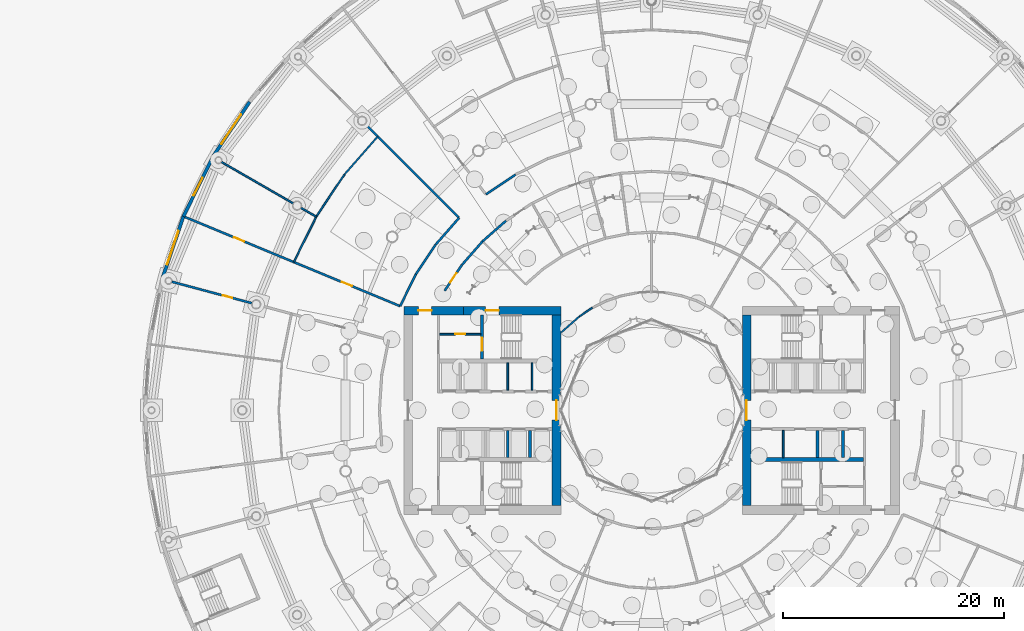
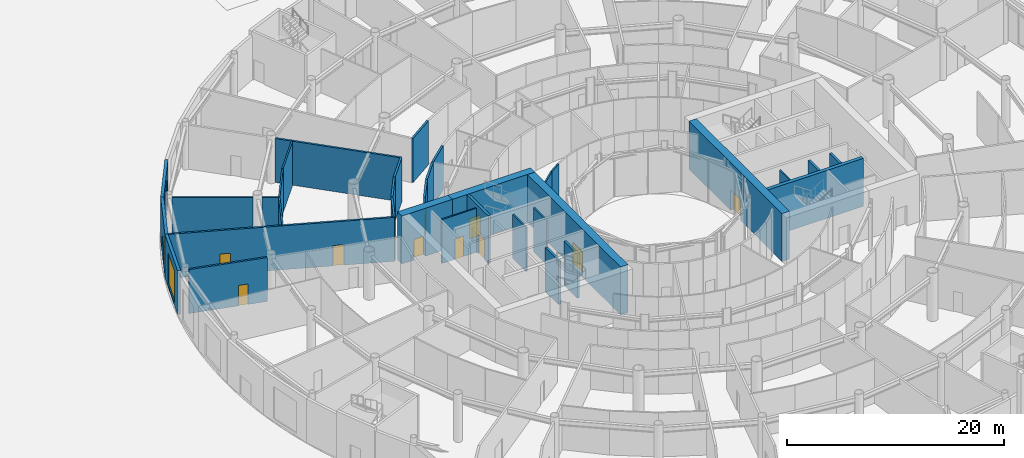
# One storey, part 23 of 41: 34 walls, 11 doors, 2 windows, 13 openings.
"""IFC4 building model written with IfcOpenShell, lengths in metres."""

from ifc_helpers import new_model, si_unit, direction, frame, frame_2d, origin, place, context, subcontext, project, spatial, rectangle, extrude, material, layer, layer_set, type_object, element, fill, save


model = new_model("IFC4")

# Units and contexts
model_context = context("Model", 3, precision=1e-05, world=origin(), true_north=direction((0.0, 1.0)))
body_context = subcontext(model_context, "Body", "Model", "MODEL_VIEW")
ifc_project = project(units=[si_unit("LENGTHUNIT", "METRE"), si_unit("AREAUNIT", "SQUARE_METRE"), si_unit("VOLUMEUNIT", "CUBIC_METRE"), si_unit("PLANEANGLEUNIT", "RADIAN"), si_unit("MASSUNIT", "GRAM", prefix="KILO")], contexts=[model_context])

# Site, building, storey
site_placement = place(None, origin())
site = spatial("IfcSite", under=ifc_project, at=site_placement, CompositionType="ELEMENT")
building_placement = place(site_placement, origin())
building = spatial("IfcBuilding", under=site, at=building_placement, Name="Maasbend Ring Residences", CompositionType="ELEMENT")
storey_placement = place(building_placement, origin())
storey = spatial("IfcBuildingStorey", under=building, at=storey_placement, Name="L00", CompositionType="ELEMENT", Elevation=0.0)

# Wall, opening, door
ifc_material_1 = material(Name="Concrete C70/85", Category="concrete")
ifc_layer_1 = layer(ifc_material_1, 0.25)
ifc_layer_set_1 = layer_set([ifc_layer_1], Name="Concrete C70/85")
wall_type_1 = type_object("IfcWallType", Name="CORE WALL 250 C70/85", PredefinedType="SHEAR", material=ifc_layer_set_1)
wall_1_placement = place(storey_placement, frame((-15.324951171875, 8.60009765625, 0.0), z_axis=(0.0, 0.0, 1.0), x_axis=(0.0, -1.0, 0.0)))
wall_1 = element("IfcWall", 1, at=wall_1_placement, inside=storey, type_object=wall_type_1, Name="L00 core W wall STES", PredefinedType="SHEAR", context=body_context, shape_type="SweptSolid", body=[
    extrude(rectangle(XDim=3.9501953125, YDim=0.25, at=frame_2d((1.97509765625, 0.0))), origin(), (0.0, 0.0, 1.0), 5.39990234375),
])
opening_1_placement = place(wall_1_placement, frame((2.02490234375, 0.0, 0.0)))
opening_1 = element("IfcOpeningElement", 2, at=opening_1_placement, cuts=wall_1, Name="Opening D-W0013", PredefinedType="OPENING", context=body_context, shape_type="SweptSolid", body=[
    extrude(rectangle(XDim=1.199951171875, YDim=2.300048828125, at=frame_2d((0.60009765625, 1.14990234375))), frame((0.0, 0.135009765625, 0.0), z_axis=(0.0, -1.0, 0.0), x_axis=(1.0, 0.0, 0.0)), (0.0, 0.0, 1.0), 0.27001953125),
])
ifc_material_2 = material(Name="Steel, powder coated", Category="steel")
door_type_1 = type_object("IfcDoorType", Name="STAIR DOOR 1200 X 2300 FD60", OperationType="NOTDEFINED", PredefinedType="DOOR", material=ifc_material_2)
door_1_placement = place(opening_1_placement, origin())
door_1 = element("IfcDoor", 3, at=door_1_placement, inside=storey, type_object=door_type_1, Name="Stair door ST-W L00", OperationType="SINGLE_SWING_LEFT", OverallHeight=2.300048828125, OverallWidth=1.199951171875, PredefinedType="DOOR", context=body_context, shape_type="SweptSolid", body=[
    extrude(rectangle(XDim=1.199951171875, YDim=2.300048828125, at=frame_2d((0.60009765625, 1.14990234375))), frame((0.0, 0.02490234375, 0.0), z_axis=(0.0, -1.0, 0.0), x_axis=(1.0, 0.0, 0.0)), (0.0, 0.0, 1.0), 0.050048828125),
])
fill(opening_1, door_1)

# Wall
ifc_material_3 = material(Name="Concrete C70/85", Category="concrete")
ifc_layer_2 = layer(ifc_material_3, 0.375)
ifc_layer_set_2 = layer_set([ifc_layer_2], Name="Concrete C70/85")
wall_type_2 = type_object("IfcWallType", Name="CORE WALL 375 C70/85", PredefinedType="SHEAR", material=ifc_layer_set_2)
wall_2_placement = place(storey_placement, frame((9.0, -4.46240234375, 0.0), z_axis=(0.0, 0.0, 1.0), x_axis=(1.0, 0.0, 0.0)))
element("IfcWall", 4, at=wall_2_placement, inside=storey, type_object=wall_type_2, Name="L00 core E wall BS", PredefinedType="SHEAR", context=body_context, shape_type="SweptSolid", body=[
    extrude(rectangle(XDim=10.14990234375, YDim=0.375, at=frame_2d((5.074951171875, 0.0))), origin(), (0.0, 0.0, 1.0), 5.39990234375),
])

# Wall, opening, door
ifc_material_4 = material(Name="Concrete C70/85", Category="concrete")
ifc_layer_3 = layer(ifc_material_4, 0.800048828125)
ifc_layer_set_3 = layer_set([ifc_layer_3], Name="Concrete C70/85")
wall_type_3 = type_object("IfcWallType", Name="CORE WALL 800 C70/85", PredefinedType="SHEAR", material=ifc_layer_set_3)
wall_3_placement = place(storey_placement, frame((8.60009765625, -8.60009765625, 0.0), z_axis=(0.0, 0.0, 1.0), x_axis=(0.0, 1.0, 0.0)))
wall_3 = element("IfcWall", 5, at=wall_3_placement, inside=storey, type_object=wall_type_3, Name="L00 core E wall PIN", PredefinedType="SHEAR", context=body_context, shape_type="SweptSolid", body=[
    extrude(rectangle(XDim=17.2001953125, YDim=0.800048828125, at=frame_2d((8.60009765625, 0.0))), origin(), (0.0, 0.0, 1.0), 5.39990234375),
])
opening_2_placement = place(wall_3_placement, frame((7.699951171875, 0.0, 0.0)))
opening_2 = element("IfcOpeningElement", 6, at=opening_2_placement, cuts=wall_3, Name="Opening D-E0017", PredefinedType="OPENING", context=body_context, shape_type="SweptSolid", body=[
    extrude(rectangle(XDim=1.800048828125, YDim=2.300048828125, at=frame_2d((0.89990234375, 1.14990234375))), frame((0.0, 0.41015625, 0.0), z_axis=(0.0, -1.0, 0.0), x_axis=(1.0, 0.0, 0.0)), (0.0, 0.0, 1.0), 0.820068359375),
])
ifc_material_5 = material(Name="Aluminium frame, clear glass", Category="aluminium")
door_type_2 = type_object("IfcDoorType", Name="ENTRANCE DOOR 1800 X 2300 FD60", OperationType="NOTDEFINED", PredefinedType="DOOR", material=ifc_material_5)
door_2_placement = place(opening_2_placement, origin())
door_2 = element("IfcDoor", 7, at=door_2_placement, inside=storey, type_object=door_type_2, Name="Lobby glazed door L00", OperationType="SINGLE_SWING_LEFT", OverallHeight=2.300048828125, OverallWidth=1.800048828125, PredefinedType="DOOR", context=body_context, shape_type="SweptSolid", body=[
    extrude(rectangle(XDim=1.800048828125, YDim=2.300048828125, at=frame_2d((0.89990234375, 1.14990234375))), frame((0.0, 0.02490234375, 0.0), z_axis=(0.0, -1.0, 0.0), x_axis=(1.0, 0.0, 0.0)), (0.0, 0.0, 1.0), 0.050048828125),
])
fill(opening_2, door_2)

wall_4_placement = place(storey_placement, frame((-8.60009765625, 8.60009765625, 0.0), z_axis=(0.0, 0.0, 1.0), x_axis=(0.0, -1.0, 0.0)))
wall_4 = element("IfcWall", 8, at=wall_4_placement, inside=storey, type_object=wall_type_3, Name="L00 core W wall PIN", PredefinedType="SHEAR", context=body_context, shape_type="SweptSolid", body=[
    extrude(rectangle(XDim=17.2001953125, YDim=0.800048828125, at=frame_2d((8.60009765625, 0.0))), origin(), (0.0, 0.0, 1.0), 5.39990234375),
])
opening_3_placement = place(wall_4_placement, frame((7.699951171875, 0.0, 0.0)))
opening_3 = element("IfcOpeningElement", 9, at=opening_3_placement, cuts=wall_4, Name="Opening D-W0018", PredefinedType="OPENING", context=body_context, shape_type="SweptSolid", body=[
    extrude(rectangle(XDim=1.800048828125, YDim=2.300048828125, at=frame_2d((0.89990234375, 1.14990234375))), frame((0.0, 0.41015625, 0.0), z_axis=(0.0, -1.0, 0.0), x_axis=(1.0, 0.0, 0.0)), (0.0, 0.0, 1.0), 0.820068359375),
])
door_3_placement = place(opening_3_placement, origin())
door_3 = element("IfcDoor", 10, at=door_3_placement, inside=storey, type_object=door_type_2, Name="Lobby glazed door L00", OperationType="SINGLE_SWING_LEFT", OverallHeight=2.300048828125, OverallWidth=1.800048828125, PredefinedType="DOOR", context=body_context, shape_type="SweptSolid", body=[
    extrude(rectangle(XDim=1.800048828125, YDim=2.300048828125, at=frame_2d((0.89990234375, 1.14990234375))), frame((0.0, 0.02490234375, 0.0), z_axis=(0.0, -1.0, 0.0), x_axis=(1.0, 0.0, 0.0)), (0.0, 0.0, 1.0), 0.050048828125),
])
fill(opening_3, door_3)

wall_5_placement = place(storey_placement, frame((-17.0, 9.0, 0.0), z_axis=(0.0, 0.0, 1.0), x_axis=(1.0, 0.0, 0.0)))
wall_5 = element("IfcWall", 11, at=wall_5_placement, inside=storey, type_object=wall_type_3, Name="L00 core W wall PSA", PredefinedType="SHEAR", context=body_context, shape_type="SweptSolid", body=[
    extrude(rectangle(XDim=8.800048828125, YDim=0.800048828125, at=frame_2d((4.39990234375, 0.0))), origin(), (0.0, 0.0, 1.0), 5.39990234375),
])
opening_4_placement = place(wall_5_placement, frame((2.0, 0.0, 0.0)))
opening_4 = element("IfcOpeningElement", 12, at=opening_4_placement, cuts=wall_5, Name="Opening D-W0021", PredefinedType="OPENING", context=body_context, shape_type="SweptSolid", body=[
    extrude(rectangle(XDim=1.199951171875, YDim=2.300048828125, at=frame_2d((0.60009765625, 1.14990234375))), frame((0.0, 0.41015625, 0.0), z_axis=(0.0, -1.0, 0.0), x_axis=(1.0, 0.0, 0.0)), (0.0, 0.0, 1.0), 0.820068359375),
])
door_4_placement = place(opening_4_placement, origin())
door_4 = element("IfcDoor", 13, at=door_4_placement, inside=storey, type_object=door_type_1, Name="Stair door ST-W L00", OperationType="SINGLE_SWING_RIGHT", OverallHeight=2.300048828125, OverallWidth=1.199951171875, PredefinedType="DOOR", context=body_context, shape_type="SweptSolid", body=[
    extrude(rectangle(XDim=1.199951171875, YDim=2.300048828125, at=frame_2d((0.60009765625, 1.14990234375))), frame((0.0, 0.02490234375, 0.0), z_axis=(0.0, -1.0, 0.0), x_axis=(1.0, 0.0, 0.0)), (0.0, 0.0, 1.0), 0.050048828125),
])
fill(opening_4, door_4)

wall_6_placement = place(storey_placement, frame((-17.0, 9.0, 0.0), z_axis=(0.0, 0.0, 1.0), x_axis=(-1.0, 0.0, 0.0)))
wall_6 = element("IfcWall", 14, at=wall_6_placement, inside=storey, type_object=wall_type_3, Name="L00 core W wall PSB", PredefinedType="SHEAR", context=body_context, shape_type="SweptSolid", body=[
    extrude(rectangle(XDim=5.39990234375, YDim=0.800048828125, at=frame_2d((2.699951171875, 0.0))), origin(), (0.0, 0.0, 1.0), 5.39990234375),
])
opening_5_placement = place(wall_6_placement, frame((2.875, 0.0, 0.0)))
opening_5 = element("IfcOpeningElement", 15, at=opening_5_placement, cuts=wall_6, Name="Opening D-W0017", PredefinedType="OPENING", context=body_context, shape_type="SweptSolid", body=[
    extrude(rectangle(XDim=1.199951171875, YDim=2.300048828125, at=frame_2d((0.60009765625, 1.14990234375))), frame((0.0, 0.41015625, 0.0), z_axis=(0.0, -1.0, 0.0), x_axis=(1.0, 0.0, 0.0)), (0.0, 0.0, 1.0), 0.820068359375),
])
ifc_material_6 = material(Name="Steel, powder coated", Category="steel")
door_type_3 = type_object("IfcDoorType", Name="CORRIDOR DOOR 1200 X 2300 FD30S", OperationType="NOTDEFINED", PredefinedType="DOOR", material=ifc_material_6)
door_5_placement = place(opening_5_placement, origin())
door_5 = element("IfcDoor", 16, at=door_5_placement, inside=storey, type_object=door_type_3, Name="Corridor door L00", OperationType="SINGLE_SWING_LEFT", OverallHeight=2.300048828125, OverallWidth=1.199951171875, PredefinedType="DOOR", context=body_context, shape_type="SweptSolid", body=[
    extrude(rectangle(XDim=1.199951171875, YDim=2.300048828125, at=frame_2d((0.60009765625, 1.14990234375))), frame((0.0, 0.02490234375, 0.0), z_axis=(0.0, -1.0, 0.0), x_axis=(1.0, 0.0, 0.0)), (0.0, 0.0, 1.0), 0.050048828125),
])
fill(opening_5, door_5)

ifc_material_7 = material(Name="Concrete C30/37", Category="concrete")
ifc_layer_4 = layer(ifc_material_7, 0.199951171875)
ifc_layer_set_4 = layer_set([ifc_layer_4], Name="Concrete C30/37")
wall_type_4 = type_object("IfcWallType", Name="CORRIDOR WALL 200 CONCRETE", PredefinedType="PARTITIONING", material=ifc_layer_set_4)
wall_7_placement = place(storey_placement, frame((-43.3701171875, 11.6201171875, 0.0), z_axis=(0.0, 0.0, 1.0), x_axis=(0.965931198614, -0.25879899448, 0.0)))
wall_7 = element("IfcWall", 17, at=wall_7_placement, inside=storey, type_object=wall_type_4, Name="U-L00-w083", PredefinedType="PARTITIONING", context=body_context, shape_type="SweptSolid", body=[
    extrude(rectangle(XDim=7.500732421875, YDim=0.199951171875, at=frame_2d((3.75048828125, 0.0))), origin(), (0.0, 0.0, 1.0), 4.949951171875),
])
opening_6_placement = place(wall_7_placement, frame((4.756103515625, 0.0, 0.0)))
opening_6 = element("IfcOpeningElement", 18, at=opening_6_placement, cuts=wall_7, Name="Opening D-0033", PredefinedType="OPENING", context=body_context, shape_type="SweptSolid", body=[
    extrude(rectangle(XDim=0.89990234375, YDim=2.300048828125, at=frame_2d((0.449951171875, 1.14990234375))), frame((0.0, 0.10986328125, 0.0), z_axis=(0.0, -1.0, 0.0), x_axis=(1.0, 0.0, 0.0)), (0.0, 0.0, 1.0), 0.219970703125),
])
ifc_material_8 = material(Name="Steel, fire-rated, painted", Category="steel")
door_type_4 = type_object("IfcDoorType", Name="SERVICE DOOR 900 X 2300 FIRE-RATED", OperationType="NOTDEFINED", PredefinedType="DOOR", material=ifc_material_8)
door_6_placement = place(opening_6_placement, origin())
door_6 = element("IfcDoor", 19, at=door_6_placement, inside=storey, type_object=door_type_4, Name="D-0033", OperationType="SINGLE_SWING_RIGHT", OverallHeight=2.300048828125, OverallWidth=0.89990234375, PredefinedType="DOOR", context=body_context, shape_type="SweptSolid", body=[
    extrude(rectangle(XDim=0.89990234375, YDim=2.300048828125, at=frame_2d((0.449951171875, 1.14990234375))), frame((0.0, 0.02490234375, 0.0), z_axis=(0.0, -1.0, 0.0), x_axis=(1.0, 0.0, 0.0)), (0.0, 0.0, 1.0), 0.050048828125),
])
fill(opening_6, door_6)

# Wall, openings, doors
wall_8_placement = place(storey_placement, frame((-42.220947265625, 17.489013671875, 0.0), z_axis=(0.0, 0.0, 1.0), x_axis=(0.923857892323, -0.382735672225, 0.0)))
wall_8 = element("IfcWall", 20, at=wall_8_placement, inside=storey, type_object=wall_type_4, Name="U-L00-w084", PredefinedType="PARTITIONING", context=body_context, shape_type="SweptSolid", body=[
    extrude(rectangle(XDim=21.1005859375, YDim=0.199951171875, at=frame_2d((10.55029296875, 0.0))), origin(), (0.0, 0.0, 1.0), 4.949951171875),
])
opening_7_placement = place(wall_8_placement, frame((15.39990234375, 0.0, 0.0)))
opening_7 = element("IfcOpeningElement", 21, at=opening_7_placement, cuts=wall_8, Name="Opening D-0029", PredefinedType="OPENING", context=body_context, shape_type="SweptSolid", body=[
    extrude(rectangle(XDim=1.0, YDim=2.300048828125, at=frame_2d((0.5, 1.14990234375))), frame((0.0, 0.10986328125, 0.0), z_axis=(0.0, -1.0, 0.0), x_axis=(1.0, 0.0, 0.0)), (0.0, 0.0, 1.0), 0.219970703125),
])
opening_8_placement = place(wall_8_placement, frame((4.85009765625, 0.0, 0.0)))
opening_8 = element("IfcOpeningElement", 22, at=opening_8_placement, cuts=wall_8, Name="Opening D-0031", PredefinedType="OPENING", context=body_context, shape_type="SweptSolid", body=[
    extrude(rectangle(XDim=1.0, YDim=2.300048828125, at=frame_2d((0.5, 1.14990234375))), frame((0.0, 0.10986328125, 0.0), z_axis=(0.0, -1.0, 0.0), x_axis=(1.0, 0.0, 0.0)), (0.0, 0.0, 1.0), 0.219970703125),
])
ifc_material_9 = material(Name="Timber, painted", Category="wood")
door_type_5 = type_object("IfcDoorType", Name="ROOM DOOR 1000 X 2300", OperationType="NOTDEFINED", PredefinedType="DOOR", material=ifc_material_9)
door_7_placement = place(opening_7_placement, origin())
door_7 = element("IfcDoor", 23, at=door_7_placement, inside=storey, type_object=door_type_5, Name="D-0029", OperationType="SINGLE_SWING_RIGHT", OverallHeight=2.300048828125, OverallWidth=1.0, PredefinedType="DOOR", context=body_context, shape_type="SweptSolid", body=[
    extrude(rectangle(XDim=1.0, YDim=2.300048828125, at=frame_2d((0.5, 1.14990234375))), frame((0.0, 0.02490234375, 0.0), z_axis=(0.0, -1.0, 0.0), x_axis=(1.0, 0.0, 0.0)), (0.0, 0.0, 1.0), 0.050048828125),
])
fill(opening_7, door_7)
door_8_placement = place(opening_8_placement, origin())
door_8 = element("IfcDoor", 24, at=door_8_placement, inside=storey, type_object=door_type_5, Name="D-0031", OperationType="SINGLE_SWING_LEFT", OverallHeight=2.300048828125, OverallWidth=1.0, PredefinedType="DOOR", context=body_context, shape_type="SweptSolid", body=[
    extrude(rectangle(XDim=1.0, YDim=2.300048828125, at=frame_2d((0.5, 1.14990234375))), frame((0.0, 0.02490234375, 0.0), z_axis=(0.0, -1.0, 0.0), x_axis=(1.0, 0.0, 0.0)), (0.0, 0.0, 1.0), 0.050048828125),
])
fill(opening_8, door_8)

# Wall
wall_9_placement = place(storey_placement, frame((-25.8759765625, 25.8759765625, 0.0), z_axis=(0.0, 0.0, 1.0), x_axis=(0.707106781187, -0.707106781187, 0.0)))
element("IfcWall", 25, at=wall_9_placement, inside=storey, type_object=wall_type_4, Name="U-L00-w094", PredefinedType="PARTITIONING", context=body_context, shape_type="SweptSolid", body=[
    extrude(rectangle(XDim=11.993896484375, YDim=0.199951171875, at=frame_2d((5.9970703125, 0.0))), origin(), (0.0, 0.0, 1.0), 4.949951171875),
])

# Wall, opening, door
wall_10_placement = place(storey_placement, frame((-18.7060546875, 10.800048828125, 0.0), z_axis=(0.0, 0.0, 1.0), x_axis=(0.55571678686, 0.831371669473, 0.0)))
wall_10 = element("IfcWall", 26, at=wall_10_placement, inside=storey, type_object=wall_type_4, Name="U-L00-w162", PredefinedType="PARTITIONING", context=body_context, shape_type="SweptSolid", body=[
    extrude(rectangle(XDim=2.8251953125, YDim=0.199951171875, at=frame_2d((1.41259765625, 0.0))), origin(), (0.0, 0.0, 1.0), 4.949951171875),
])
opening_9_placement = place(wall_10_placement, frame((0.9130859375, 0.0, 0.0)))
opening_9 = element("IfcOpeningElement", 27, at=opening_9_placement, cuts=wall_10, Name="Opening D-0014", PredefinedType="OPENING", context=body_context, shape_type="SweptSolid", body=[
    extrude(rectangle(XDim=1.0, YDim=2.300048828125, at=frame_2d((0.5, 1.14990234375))), frame((0.0, 0.10986328125, 0.0), z_axis=(0.0, -1.0, 0.0), x_axis=(1.0, 0.0, 0.0)), (0.0, 0.0, 1.0), 0.219970703125),
])
door_9_placement = place(opening_9_placement, origin())
door_9 = element("IfcDoor", 28, at=door_9_placement, inside=storey, type_object=door_type_5, Name="D-0014", OperationType="SINGLE_SWING_RIGHT", OverallHeight=2.300048828125, OverallWidth=1.0, PredefinedType="DOOR", context=body_context, shape_type="SweptSolid", body=[
    extrude(rectangle(XDim=1.0, YDim=2.300048828125, at=frame_2d((0.5, 1.14990234375))), frame((0.0, 0.02490234375, 0.0), z_axis=(0.0, -1.0, 0.0), x_axis=(1.0, 0.0, 0.0)), (0.0, 0.0, 1.0), 0.050048828125),
])
fill(opening_9, door_9)

# Walls
for number, where, z_axis, x_axis, name in (
    (29, (-17.135986328125, 13.14892578125, 0.0), (0.0, 0.0, 1.0), (0.659042776199, 0.752105457459, 0.0), "U-L00-w163"),
    (30, (-15.27392578125, 15.27392578125, 0.0), (0.0, 0.0, 1.0), (0.752105457459, 0.659042776199, 0.0), "U-L00-w164"),
):
    element("IfcWall", number, at=place(storey_placement, frame(where, z_axis=z_axis, x_axis=x_axis)), inside=storey, type_object=wall_type_4, Name=name, PredefinedType="PARTITIONING", context=body_context, shape_type="SweptSolid", body=[
        extrude(rectangle(XDim=2.825439453125, YDim=0.199951171875, at=frame_2d((1.41259765625, 0.0))), origin(), (0.0, 0.0, 1.0), 4.949951171875),
    ])
wall_11_placement = place(storey_placement, frame((-22.72705078125, 9.4140625, 0.0), z_axis=(0.0, 0.0, 1.0), x_axis=(0.442259878763, 0.896886949195, 0.0)))
element("IfcWall", 31, at=wall_11_placement, inside=storey, type_object=wall_type_4, Name="U-L00-w180", PredefinedType="PARTITIONING", context=body_context, shape_type="SweptSolid", body=[
    extrude(rectangle(XDim=3.2177734375, YDim=0.199951171875, at=frame_2d((1.60888671875, 0.0))), origin(), (0.0, 0.0, 1.0), 4.949951171875),
])
wall_12_placement = place(storey_placement, frame((-21.303955078125, 12.300048828125, 0.0), z_axis=(0.0, 0.0, 1.0), x_axis=(0.555522714148, 0.831501361433, 0.0)))
element("IfcWall", 32, at=wall_12_placement, inside=storey, type_object=wall_type_4, Name="U-L00-w181", PredefinedType="PARTITIONING", context=body_context, shape_type="SweptSolid", body=[
    extrude(rectangle(XDim=3.21826171875, YDim=0.199951171875, at=frame_2d((1.609130859375, 0.0))), origin(), (0.0, 0.0, 1.0), 4.949951171875),
])
wall_13_placement = place(storey_placement, frame((-19.51611328125, 14.97607421875, 0.0), z_axis=(0.0, 0.0, 1.0), x_axis=(0.659299366608, 0.751880539175, 0.0)))
element("IfcWall", 33, at=wall_13_placement, inside=storey, type_object=wall_type_4, Name="U-L00-w182", PredefinedType="PARTITIONING", context=body_context, shape_type="SweptSolid", body=[
    extrude(rectangle(XDim=3.21728515625, YDim=0.199951171875, at=frame_2d((1.608642578125, 0.0))), origin(), (0.0, 0.0, 1.0), 4.949951171875),
])
wall_14_placement = place(storey_placement, frame((-14.97607421875, 19.51611328125, 0.0), z_axis=(0.0, 0.0, 1.0), x_axis=(0.831501361433, 0.555522714148, 0.0)))
element("IfcWall", 34, at=wall_14_placement, inside=storey, type_object=wall_type_4, Name="U-L00-w183", PredefinedType="PARTITIONING", context=body_context, shape_type="SweptSolid", body=[
    extrude(rectangle(XDim=3.21826171875, YDim=0.199951171875, at=frame_2d((1.609130859375, 0.0))), origin(), (0.0, 0.0, 1.0), 4.949951171875),
])

# Wall, opening, window
ifc_material_10 = material(Name="Pale anodised aluminium panel", Category="aluminium")
ifc_layer_5 = layer(ifc_material_10, 0.300048828125)
ifc_layer_set_5 = layer_set([ifc_layer_5], Name="EW-BASE")
wall_type_5 = type_object("IfcWallType", Name="EW-BASE", PredefinedType="SOLIDWALL", material=ifc_layer_set_5)
wall_15_placement = place(storey_placement, frame((-36.3359375, 27.881103515625, 0.0), z_axis=(0.0, 0.0, 1.0), x_axis=(-0.55554631985, -0.831485590074, 0.0)))
wall_15 = element("IfcWall", 35, at=wall_15_placement, inside=storey, type_object=wall_type_5, Name="Base block wall 20", PredefinedType="SOLIDWALL", context=body_context, shape_type="SweptSolid", body=[
    extrude(rectangle(XDim=5.99072265625, YDim=0.300048828125, at=frame_2d((2.995361328125, 0.0))), origin(), (0.0, 0.0, 1.0), 4.949951171875),
])
opening_10_placement = place(wall_15_placement, frame((1.3955078125, 0.0, 0.300048828125)))
opening_10 = element("IfcOpeningElement", 36, at=opening_10_placement, cuts=wall_15, Name="Opening W-SF", PredefinedType="OPENING", context=body_context, shape_type="SweptSolid", body=[
    extrude(rectangle(XDim=3.199951171875, YDim=3.60009765625, at=frame_2d((1.60009765625, 1.800048828125))), frame((0.0, 0.16015625, 0.0), z_axis=(0.0, -1.0, 0.0), x_axis=(1.0, 0.0, 0.0)), (0.0, 0.0, 1.0), 0.320068359375),
])
ifc_material_11 = material(Name="Aluminium and clear glass", Category="aluminium")
window_type = type_object("IfcWindowType", Name="W-SF", PartitioningType="SINGLE_PANEL", PredefinedType="WINDOW", material=ifc_material_11)
window_1_placement = place(opening_10_placement, origin())
window_1 = element("IfcWindow", 37, at=window_1_placement, inside=storey, type_object=window_type, Name="Shopfront 20", OverallHeight=3.60009765625, OverallWidth=3.199951171875, PartitioningType="SINGLE_PANEL", PredefinedType="WINDOW", context=body_context, shape_type="SweptSolid", body=[
    extrude(rectangle(XDim=3.199951171875, YDim=3.60009765625, at=frame_2d((1.60009765625, 1.800048828125))), frame((0.0, 0.030029296875, 0.0), z_axis=(0.0, -1.0, 0.0), x_axis=(1.0, 0.0, 0.0)), (0.0, 0.0, 1.0), 0.06005859375),
])
fill(opening_10, window_1)

# Wall, opening, door
wall_16_placement = place(storey_placement, frame((-39.6640625, 22.89990234375, 0.0), z_axis=(0.0, 0.0, 1.0), x_axis=(-0.44233289833, -0.896850939151, 0.0)))
wall_16 = element("IfcWall", 38, at=wall_16_placement, inside=storey, type_object=wall_type_5, Name="Base block wall 21", PredefinedType="SOLIDWALL", context=body_context, shape_type="SweptSolid", body=[
    extrude(rectangle(XDim=5.99072265625, YDim=0.300048828125, at=frame_2d((2.995361328125, 0.0))), origin(), (0.0, 0.0, 1.0), 4.949951171875),
])
opening_11_placement = place(wall_16_placement, frame((2.095458984375, 0.0, 0.0)))
opening_11 = element("IfcOpeningElement", 39, at=opening_11_placement, cuts=wall_16, Name="Opening D-EX", PredefinedType="OPENING", context=body_context, shape_type="SweptSolid", body=[
    extrude(rectangle(XDim=1.800048828125, YDim=2.199951171875, at=frame_2d((0.89990234375, 1.10009765625))), frame((0.0, 0.16015625, 0.0), z_axis=(0.0, -1.0, 0.0), x_axis=(1.0, 0.0, 0.0)), (0.0, 0.0, 1.0), 0.320068359375),
])
ifc_material_12 = material(Name="Aluminium and clear glass", Category="aluminium")
door_type_6 = type_object("IfcDoorType", Name="D-EX", OperationType="DOUBLE_DOOR_SINGLE_SWING", PredefinedType="DOOR", material=ifc_material_12)
door_10_placement = place(opening_11_placement, origin())
door_10 = element("IfcDoor", 40, at=door_10_placement, inside=storey, type_object=door_type_6, Name="Exit door 21", OperationType="SINGLE_SWING_LEFT", OverallHeight=2.199951171875, OverallWidth=1.800048828125, PredefinedType="DOOR", context=body_context, shape_type="SweptSolid", body=[
    extrude(rectangle(XDim=1.800048828125, YDim=2.199951171875, at=frame_2d((0.89990234375, 1.10009765625))), frame((0.0, 0.02490234375, 0.0), z_axis=(0.0, -1.0, 0.0), x_axis=(1.0, 0.0, 0.0)), (0.0, 0.0, 1.0), 0.050048828125),
])
fill(opening_11, door_10)

# Wall, opening, window
wall_17_placement = place(storey_placement, frame((-42.31396484375, 17.527099609375, 0.0), z_axis=(0.0, 0.0, 1.0), x_axis=(-0.321333542675, -0.946966078776, 0.0)))
wall_17 = element("IfcWall", 41, at=wall_17_placement, inside=storey, type_object=wall_type_5, Name="Base block wall 22", PredefinedType="SOLIDWALL", context=body_context, shape_type="SweptSolid", body=[
    extrude(rectangle(XDim=5.99072265625, YDim=0.300048828125, at=frame_2d((2.995361328125, 0.0))), origin(), (0.0, 0.0, 1.0), 4.949951171875),
])
opening_12_placement = place(wall_17_placement, frame((1.3955078125, 0.0, 0.300048828125)))
opening_12 = element("IfcOpeningElement", 42, at=opening_12_placement, cuts=wall_17, Name="Opening W-SF", PredefinedType="OPENING", context=body_context, shape_type="SweptSolid", body=[
    extrude(rectangle(XDim=3.199951171875, YDim=3.60009765625, at=frame_2d((1.60009765625, 1.800048828125))), frame((0.0, 0.16015625, 0.0), z_axis=(0.0, -1.0, 0.0), x_axis=(1.0, 0.0, 0.0)), (0.0, 0.0, 1.0), 0.320068359375),
])
window_2_placement = place(opening_12_placement, origin())
window_2 = element("IfcWindow", 43, at=window_2_placement, inside=storey, type_object=window_type, Name="Shopfront 22", OverallHeight=3.60009765625, OverallWidth=3.199951171875, PartitioningType="SINGLE_PANEL", PredefinedType="WINDOW", context=body_context, shape_type="SweptSolid", body=[
    extrude(rectangle(XDim=3.199951171875, YDim=3.60009765625, at=frame_2d((1.60009765625, 1.800048828125))), frame((0.0, 0.030029296875, 0.0), z_axis=(0.0, -1.0, 0.0), x_axis=(1.0, 0.0, 0.0)), (0.0, 0.0, 1.0), 0.06005859375),
])
fill(opening_12, window_2)

# Walls
ifc_material_13 = material(Name="Gypsum board on steel studs", Category="steel")
ifc_layer_6 = layer(ifc_material_13, 0.14990234375)
ifc_layer_set_6 = layer_set([ifc_layer_6], Name="PARTITION 150 EI 60")
wall_type_6 = type_object("IfcWallType", Name="PARTITION 150 EI 60", PredefinedType="PARTITIONING", material=ifc_layer_set_6)
for number, where, z_axis, x_axis, name in (
    (44, (11.89990234375, -1.824951171875, 0.0), (0.0, 0.0, 1.0), (0.0, -1.0, 0.0), "L00 core E wall PRS1190"),
    (45, (-10.800048828125, 1.824951171875, 0.0), (0.0, 0.0, 1.0), (0.0, 1.0, 0.0), "L00 core W wall PRS1080"),
    (46, (-13.0, 1.824951171875, 0.0), (0.0, 0.0, 1.0), (0.0, 1.0, 0.0), "L00 core W wall PRS1300"),
):
    element("IfcWall", number, at=place(storey_placement, frame(where, z_axis=z_axis, x_axis=x_axis)), inside=storey, type_object=wall_type_6, Name=name, PredefinedType="PARTITIONING", context=body_context, shape_type="SweptSolid", body=[
        extrude(rectangle(XDim=2.449951171875, YDim=0.14990234375, at=frame_2d((1.22509765625, 0.0))), origin(), (0.0, 0.0, 1.0), 4.949951171875),
    ])

# Wall, opening, door
wall_18_placement = place(storey_placement, frame((-15.449951171875, 6.875, 0.0), z_axis=(0.0, 0.0, 1.0), x_axis=(-1.0, 0.0, 0.0)))
wall_18 = element("IfcWall", 47, at=wall_18_placement, inside=storey, type_object=wall_type_6, Name="L00 core W wall RHS", PredefinedType="PARTITIONING", context=body_context, shape_type="SweptSolid", body=[
    extrude(rectangle(XDim=3.699951171875, YDim=0.14990234375, at=frame_2d((1.85009765625, 0.0))), origin(), (0.0, 0.0, 1.0), 4.949951171875),
])
opening_13_placement = place(wall_18_placement, frame((1.39990234375, 0.0, 0.0)))
opening_13 = element("IfcOpeningElement", 48, at=opening_13_placement, cuts=wall_18, Name="Opening D-W0011", PredefinedType="OPENING", context=body_context, shape_type="SweptSolid", body=[
    extrude(rectangle(XDim=0.89990234375, YDim=2.300048828125, at=frame_2d((0.449951171875, 1.14990234375))), frame((0.0, 0.0849609375, 0.0), z_axis=(0.0, -1.0, 0.0), x_axis=(1.0, 0.0, 0.0)), (0.0, 0.0, 1.0), 0.169921875),
])
ifc_material_14 = material(Name="Steel, powder coated", Category="steel")
door_type_7 = type_object("IfcDoorType", Name="RISER DOOR 900 X 2300 FD60", OperationType="NOTDEFINED", PredefinedType="DOOR", material=ifc_material_14)
door_11_placement = place(opening_13_placement, origin())
door_11 = element("IfcDoor", 49, at=door_11_placement, inside=storey, type_object=door_type_7, Name="Riser door L00", OperationType="SINGLE_SWING_LEFT", OverallHeight=2.300048828125, OverallWidth=0.89990234375, PredefinedType="DOOR", context=body_context, shape_type="SweptSolid", body=[
    extrude(rectangle(XDim=0.89990234375, YDim=2.300048828125, at=frame_2d((0.449951171875, 1.14990234375))), frame((0.0, 0.02490234375, 0.0), z_axis=(0.0, -1.0, 0.0), x_axis=(1.0, 0.0, 0.0)), (0.0, 0.0, 1.0), 0.050048828125),
])
fill(opening_13, door_11)

# Walls
ifc_material_15 = material(Name="Gypsum board on steel studs", Category="steel")
ifc_layer_7 = layer(ifc_material_15, 0.14990234375)
ifc_layer_set_7 = layer_set([ifc_layer_7], Name="PARTITION 150 GYPSUM")
wall_type_7 = type_object("IfcWallType", Name="PARTITION 150 GYPSUM", PredefinedType="PARTITIONING", material=ifc_layer_set_7)
wall_19_placement = place(storey_placement, frame((-38.885009765625, 22.449951171875, 0.0), z_axis=(0.0, 0.0, 1.0), x_axis=(0.866055506462, -0.499947857008, 0.0)))
element("IfcWall", 50, at=wall_19_placement, inside=storey, type_object=wall_type_7, Name="U-L00-w085", PredefinedType="PARTITIONING", context=body_context, shape_type="SweptSolid", body=[
    extrude(rectangle(XDim=7.500732421875, YDim=0.14990234375, at=frame_2d((3.75048828125, 0.0))), origin(), (0.0, 0.0, 1.0), 4.949951171875),
])
wall_20_placement = place(storey_placement, frame((-31.697021484375, 18.300048828125, 0.0), z_axis=(0.0, 0.0, 1.0), x_axis=(0.866066190972, -0.499929347863, 0.0)))
element("IfcWall", 51, at=wall_20_placement, inside=storey, type_object=wall_type_7, Name="U-L00-w091", PredefinedType="PARTITIONING", context=body_context, shape_type="SweptSolid", body=[
    extrude(rectangle(XDim=1.600341796875, YDim=0.14990234375, at=frame_2d((0.80029296875, 0.0))), origin(), (0.0, 0.0, 1.0), 4.949951171875),
])
wall_21_placement = place(storey_placement, frame((-8.176025390625, 7.031005859375, 0.0), z_axis=(0.0, 0.0, 1.0), x_axis=(0.751755271413, 0.659442197544, 0.0)))
element("IfcWall", 52, at=wall_21_placement, inside=storey, type_object=wall_type_7, Name="U-L00-w135", PredefinedType="PARTITIONING", context=body_context, shape_type="SweptSolid", body=[
    extrude(rectangle(XDim=2.2109375, YDim=0.14990234375, at=frame_2d((1.10546875, 0.0))), origin(), (0.0, 0.0, 1.0), 4.949951171875),
])
wall_22_placement = place(storey_placement, frame((-6.513916015625, 8.489013671875, 0.0), z_axis=(0.0, 0.0, 1.0), x_axis=(0.831647476803, 0.555303947696, 0.0)))
element("IfcWall", 53, at=wall_22_placement, inside=storey, type_object=wall_type_7, Name="U-L00-w136", PredefinedType="PARTITIONING", context=body_context, shape_type="SweptSolid", body=[
    extrude(rectangle(XDim=1.3994140625, YDim=0.14990234375, at=frame_2d((0.69970703125, 0.0))), origin(), (0.0, 0.0, 1.0), 4.949951171875),
])
wall_23_placement = place(storey_placement, frame((-32.3359375, 13.39404296875, 0.0), z_axis=(0.0, 0.0, 1.0), x_axis=(0.442300710668, 0.896866813603, 0.0)))
element("IfcWall", 54, at=wall_23_placement, inside=storey, type_object=wall_type_7, Name="U-L00-w209", PredefinedType="PARTITIONING", context=body_context, shape_type="SweptSolid", body=[
    extrude(rectangle(XDim=4.578125, YDim=0.14990234375, at=frame_2d((2.2890625, 0.0))), origin(), (0.0, 0.0, 1.0), 4.949951171875),
])
wall_24_placement = place(storey_placement, frame((-30.31103515625, 17.5, 0.0), z_axis=(0.0, 0.0, 1.0), x_axis=(0.555610431873, 0.831442750882, 0.0)))
element("IfcWall", 55, at=wall_24_placement, inside=storey, type_object=wall_type_7, Name="U-L00-w210", PredefinedType="PARTITIONING", context=body_context, shape_type="SweptSolid", body=[
    extrude(rectangle(XDim=4.57861328125, YDim=0.14990234375, at=frame_2d((2.289306640625, 0.0))), origin(), (0.0, 0.0, 1.0), 4.949951171875),
])
wall_25_placement = place(storey_placement, frame((-27.76708984375, 21.306884765625, 0.0), z_axis=(0.0, 0.0, 1.0), x_axis=(0.659270714245, 0.751905662526, 0.0)))
element("IfcWall", 56, at=wall_25_placement, inside=storey, type_object=wall_type_7, Name="U-L00-w211", PredefinedType="PARTITIONING", context=body_context, shape_type="SweptSolid", body=[
    extrude(rectangle(XDim=4.577880859375, YDim=0.14990234375, at=frame_2d((2.2890625, 0.0))), origin(), (0.0, 0.0, 1.0), 4.949951171875),
])
ifc_material_16 = material(Name="Concrete C30/37", Category="concrete")
ifc_layer_8 = layer(ifc_material_16, 0.25)
ifc_layer_set_8 = layer_set([ifc_layer_8], Name="Concrete C30/37")
wall_type_8 = type_object("IfcWallType", Name="SHAFT WALL 250 EI 120", PredefinedType="SOLIDWALL", material=ifc_layer_set_8)
for number, where, z_axis, x_axis, name in (
    (57, (15.0, -1.824951171875, 0.0), (0.0, 0.0, 1.0), (0.0, -1.0, 0.0), "L00 core E wall D150S"),
    (58, (17.300048828125, -1.824951171875, 0.0), (0.0, 0.0, 1.0), (0.0, -1.0, 0.0), "L00 core E wall D173S"),
    (59, (-11.0, -1.824951171875, 0.0), (0.0, 0.0, 1.0), (0.0, -1.0, 0.0), "L00 core W wall D110N"),
    (60, (-13.0, -1.824951171875, 0.0), (0.0, 0.0, 1.0), (0.0, -1.0, 0.0), "L00 core W wall D130N"),
):
    element("IfcWall", number, at=place(storey_placement, frame(where, z_axis=z_axis, x_axis=x_axis)), inside=storey, type_object=wall_type_8, Name=name, PredefinedType="SOLIDWALL", context=body_context, shape_type="SweptSolid", body=[
        extrude(rectangle(XDim=2.449951171875, YDim=0.25, at=frame_2d((1.22509765625, 0.0))), origin(), (0.0, 0.0, 1.0), 4.949951171875),
    ])

save(model, "model.ifc")
